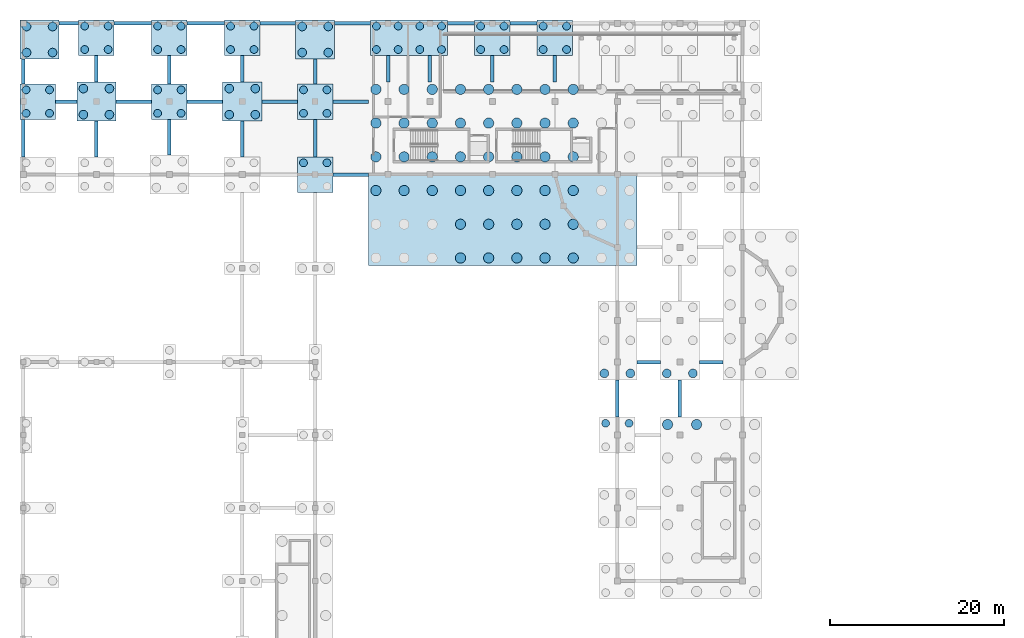
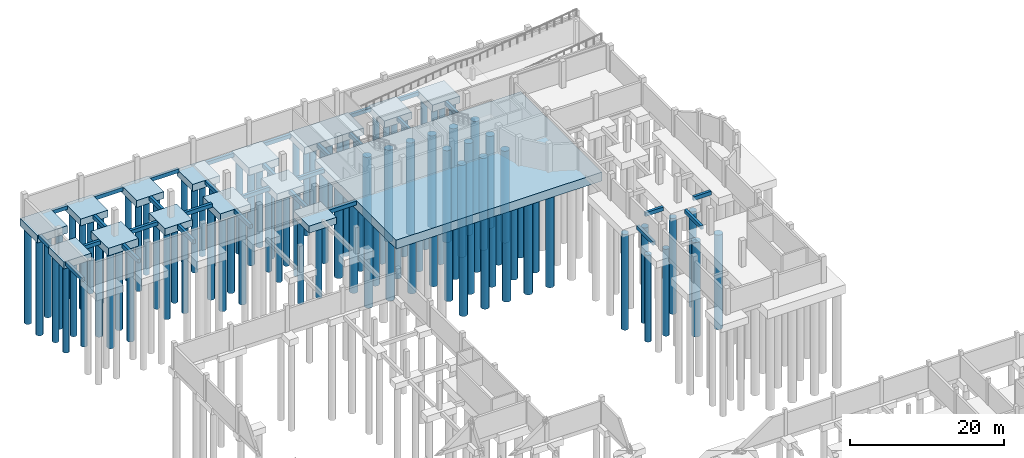
# One storey, part 5 of 22: 108 piles, 46 footings.
"""IFC4 building model written with IfcOpenShell, lengths in metres."""

from ifc_helpers import new_model, si_unit, direction, frame, origin, origin_2d, place, context, subcontext, project, spatial, rectangle, circle, extrude, material, material_profile, profile_set, type_object, element, save


model = new_model("IFC4")

# Units and contexts
model_context = context("Model", 3, precision=1e-05, world=origin(), true_north=direction((0.0, 1.0)))
body_context = subcontext(model_context, "Body", "Model", "MODEL_VIEW")
ifc_project = project(units=[si_unit("LENGTHUNIT", "METRE"), si_unit("AREAUNIT", "SQUARE_METRE"), si_unit("VOLUMEUNIT", "CUBIC_METRE"), si_unit("PLANEANGLEUNIT", "RADIAN"), si_unit("MASSUNIT", "GRAM", prefix="KILO")], contexts=[model_context])

# Site, building, storey
site_placement = place(None, origin())
site = spatial("IfcSite", under=ifc_project, at=site_placement, CompositionType="ELEMENT")
building_placement = place(site_placement, origin())
building = spatial("IfcBuilding", under=site, at=building_placement, Name="Kahlenmark Community Centre", CompositionType="ELEMENT")
storey_placement = place(building_placement, frame((0.0, 0.0, -4.199951171875)))
storey = spatial("IfcBuildingStorey", under=building, at=storey_placement, Name="B1", CompositionType="ELEMENT", Elevation=-4.199951171875)

# Footings
ifc_material = material(Name="Concrete C30/37", Category="concrete")
footing_type_1 = type_object("IfcFootingType", Name="FT-GB-400X600", PredefinedType="FOOTING_BEAM", material=ifc_material)
for number, where, z_axis, x_axis, name in (
    (1, (76.0, 76.0, -0.60009765625), (0.0, 0.0, 1.0), (1.0, 0.0, 0.0), "Ground tie beam X081"),
    (2, (83.199951171875, 76.0, -0.60009765625), (0.0, 0.0, 1.0), (1.0, 0.0, 0.0), "Ground tie beam X082"),
):
    element("IfcFooting", number, at=place(storey_placement, frame(where, z_axis=z_axis, x_axis=x_axis)), inside=storey, type_object=footing_type_1, Name=name, PredefinedType="FOOTING_BEAM", context=body_context, shape_type="SweptSolid", body=[
        extrude(rectangle(XDim=2.699951171875, YDim=0.39990234375, at=origin_2d()), origin(), (0.0, 0.0, 1.0), 0.60009765625),
    ])
footing_1_placement = place(storey_placement, frame((41.699951171875, 97.60009765625, -1.0), z_axis=(0.0, 0.0, 1.0), x_axis=(1.0, 0.0, 0.0)))
element("IfcFooting", 3, at=footing_1_placement, inside=storey, type_object=footing_type_1, Name="Ground tie beam X091", PredefinedType="FOOTING_BEAM", context=body_context, shape_type="SweptSolid", body=[
    extrude(rectangle(XDim=4.10009765625, YDim=0.39990234375, at=origin_2d()), origin(), (0.0, 0.0, 1.0), 0.60009765625),
])
footing_2_placement = place(storey_placement, frame((8.925048828125, 106.0, -0.60009765625), z_axis=(0.0, 0.0, 1.0), x_axis=(1.0, 0.0, 0.0)))
element("IfcFooting", 4, at=footing_2_placement, inside=storey, type_object=footing_type_1, Name="Ground tie beam X094", PredefinedType="FOOTING_BEAM", context=body_context, shape_type="SweptSolid", body=[
    extrude(rectangle(XDim=2.449951171875, YDim=0.39990234375, at=origin_2d()), origin(), (0.0, 0.0, 1.0), 0.60009765625),
])
for number, where, z_axis, x_axis, name in (
    (5, (16.699951171875, 106.0, -0.60009765625), (0.0, 0.0, 1.0), (1.0, 0.0, 0.0), "Ground tie beam X095"),
    (6, (24.89990234375, 106.0, -0.60009765625), (0.0, 0.0, 1.0), (1.0, 0.0, 0.0), "Ground tie beam X096"),
    (7, (33.5, 106.0, -1.0), (0.0, 0.0, 1.0), (1.0, 0.0, 0.0), "Ground tie beam X097"),
    (8, (41.699951171875, 106.0, -1.0), (0.0, 0.0, 1.0), (1.0, 0.0, 0.0), "Ground tie beam X098"),
):
    element("IfcFooting", number, at=place(storey_placement, frame(where, z_axis=z_axis, x_axis=x_axis)), inside=storey, type_object=footing_type_1, Name=name, PredefinedType="FOOTING_BEAM", context=body_context, shape_type="SweptSolid", body=[
        extrude(rectangle(XDim=4.10009765625, YDim=0.39990234375, at=origin_2d()), origin(), (0.0, 0.0, 1.0), 0.60009765625),
    ])
footing_3_placement = place(storey_placement, frame((9.22509765625, 115.0, -0.60009765625), z_axis=(0.0, 0.0, 1.0), x_axis=(1.0, 0.0, 0.0)))
element("IfcFooting", 9, at=footing_3_placement, inside=storey, type_object=footing_type_1, Name="Ground tie beam X101", PredefinedType="FOOTING_BEAM", context=body_context, shape_type="SweptSolid", body=[
    extrude(rectangle(XDim=2.25, YDim=0.39990234375, at=origin_2d()), origin(), (0.0, 0.0, 1.0), 0.60009765625),
])
for number, where, z_axis, x_axis, name in (
    (10, (16.60009765625, 115.0, -0.60009765625), (0.0, 0.0, 1.0), (1.0, 0.0, 0.0), "Ground tie beam X102"),
    (11, (25.0, 115.0, -0.60009765625), (0.0, 0.0, 1.0), (1.0, 0.0, 0.0), "Ground tie beam X103"),
):
    element("IfcFooting", number, at=place(storey_placement, frame(where, z_axis=z_axis, x_axis=x_axis)), inside=storey, type_object=footing_type_1, Name=name, PredefinedType="FOOTING_BEAM", context=body_context, shape_type="SweptSolid", body=[
        extrude(rectangle(XDim=4.300048828125, YDim=0.39990234375, at=origin_2d()), origin(), (0.0, 0.0, 1.0), 0.60009765625),
    ])
for number, where, z_axis, x_axis, name in (
    (12, (33.300048828125, 115.0, -1.0), (0.0, 0.0, 1.0), (1.0, 0.0, 0.0), "Ground tie beam X104"),
    (13, (41.89990234375, 115.0, -1.0), (0.0, 0.0, 1.0), (1.0, 0.0, 0.0), "Ground tie beam X105"),
):
    element("IfcFooting", number, at=place(storey_placement, frame(where, z_axis=z_axis, x_axis=x_axis)), inside=storey, type_object=footing_type_1, Name=name, PredefinedType="FOOTING_BEAM", context=body_context, shape_type="SweptSolid", body=[
        extrude(rectangle(XDim=4.10009765625, YDim=0.39990234375, at=origin_2d()), origin(), (0.0, 0.0, 1.0), 0.60009765625),
    ])
for number, where, z_axis, x_axis, name in (
    (14, (54.39990234375, 115.0, -1.0), (0.0, 0.0, 1.0), (1.0, 0.0, 0.0), "Ground tie beam X106"),
    (15, (61.60009765625, 115.0, -1.0), (0.0, 0.0, 1.0), (1.0, 0.0, 0.0), "Ground tie beam X107"),
):
    element("IfcFooting", number, at=place(storey_placement, frame(where, z_axis=z_axis, x_axis=x_axis)), inside=storey, type_object=footing_type_1, Name=name, PredefinedType="FOOTING_BEAM", context=body_context, shape_type="SweptSolid", body=[
        extrude(rectangle(XDim=3.10009765625, YDim=0.39990234375, at=origin_2d()), origin(), (0.0, 0.0, 1.0), 0.60009765625),
    ])
footing_4_placement = place(storey_placement, frame((4.0, 101.800048828125, -0.60009765625), z_axis=(0.0, 0.0, 1.0), x_axis=(1.0, 0.0, 0.0)))
element("IfcFooting", 16, at=footing_4_placement, inside=storey, type_object=footing_type_1, Name="Ground tie beam Y118", PredefinedType="FOOTING_BEAM", context=body_context, shape_type="SweptSolid", body=[
    extrude(rectangle(XDim=0.39990234375, YDim=4.300048828125, at=origin_2d()), origin(), (0.0, 0.0, 1.0), 0.60009765625),
])
footing_5_placement = place(storey_placement, frame((4.0, 109.47509765625, -0.60009765625), z_axis=(0.0, 0.0, 1.0), x_axis=(1.0, 0.0, 0.0)))
element("IfcFooting", 17, at=footing_5_placement, inside=storey, type_object=footing_type_1, Name="Ground tie beam Y119", PredefinedType="FOOTING_BEAM", context=body_context, shape_type="SweptSolid", body=[
    extrude(rectangle(XDim=0.39990234375, YDim=2.85009765625, at=origin_2d()), origin(), (0.0, 0.0, 1.0), 0.60009765625),
])
footing_6_placement = place(storey_placement, frame((12.39990234375, 101.699951171875, -0.60009765625), z_axis=(0.0, 0.0, 1.0), x_axis=(1.0, 0.0, 0.0)))
element("IfcFooting", 18, at=footing_6_placement, inside=storey, type_object=footing_type_1, Name="Ground tie beam Y123", PredefinedType="FOOTING_BEAM", context=body_context, shape_type="SweptSolid", body=[
    extrude(rectangle(XDim=0.39990234375, YDim=4.10009765625, at=origin_2d()), origin(), (0.0, 0.0, 1.0), 0.60009765625),
])
footing_7_placement = place(storey_placement, frame((12.39990234375, 109.77490234375, -0.60009765625), z_axis=(0.0, 0.0, 1.0), x_axis=(1.0, 0.0, 0.0)))
element("IfcFooting", 19, at=footing_7_placement, inside=storey, type_object=footing_type_1, Name="Ground tie beam Y124", PredefinedType="FOOTING_BEAM", context=body_context, shape_type="SweptSolid", body=[
    extrude(rectangle(XDim=0.39990234375, YDim=3.050048828125, at=origin_2d()), origin(), (0.0, 0.0, 1.0), 0.60009765625),
])
footing_8_placement = place(storey_placement, frame((20.800048828125, 101.89990234375, -0.60009765625), z_axis=(0.0, 0.0, 1.0), x_axis=(1.0, 0.0, 0.0)))
element("IfcFooting", 20, at=footing_8_placement, inside=storey, type_object=footing_type_1, Name="Ground tie beam Y130", PredefinedType="FOOTING_BEAM", context=body_context, shape_type="SweptSolid", body=[
    extrude(rectangle(XDim=0.39990234375, YDim=4.10009765625, at=origin_2d()), origin(), (0.0, 0.0, 1.0), 0.60009765625),
])
footing_9_placement = place(storey_placement, frame((20.800048828125, 109.675048828125, -0.60009765625), z_axis=(0.0, 0.0, 1.0), x_axis=(1.0, 0.0, 0.0)))
element("IfcFooting", 21, at=footing_9_placement, inside=storey, type_object=footing_type_1, Name="Ground tie beam Y131", PredefinedType="FOOTING_BEAM", context=body_context, shape_type="SweptSolid", body=[
    extrude(rectangle(XDim=0.39990234375, YDim=3.25, at=origin_2d()), origin(), (0.0, 0.0, 1.0), 0.60009765625),
])
footing_10_placement = place(storey_placement, frame((29.199951171875, 101.699951171875, -1.0), z_axis=(0.0, 0.0, 1.0), x_axis=(1.0, 0.0, 0.0)))
element("IfcFooting", 22, at=footing_10_placement, inside=storey, type_object=footing_type_1, Name="Ground tie beam Y143", PredefinedType="FOOTING_BEAM", context=body_context, shape_type="SweptSolid", body=[
    extrude(rectangle(XDim=0.39990234375, YDim=4.10009765625, at=origin_2d()), origin(), (0.0, 0.0, 1.0), 0.60009765625),
])
footing_11_placement = place(storey_placement, frame((29.199951171875, 109.77490234375, -1.0), z_axis=(0.0, 0.0, 1.0), x_axis=(1.0, 0.0, 0.0)))
element("IfcFooting", 23, at=footing_11_placement, inside=storey, type_object=footing_type_1, Name="Ground tie beam Y144", PredefinedType="FOOTING_BEAM", context=body_context, shape_type="SweptSolid", body=[
    extrude(rectangle(XDim=0.39990234375, YDim=3.050048828125, at=origin_2d()), origin(), (0.0, 0.0, 1.0), 0.60009765625),
])
footing_12_placement = place(storey_placement, frame((37.60009765625, 101.800048828125, -1.0), z_axis=(0.0, 0.0, 1.0), x_axis=(1.0, 0.0, 0.0)))
element("IfcFooting", 24, at=footing_12_placement, inside=storey, type_object=footing_type_1, Name="Ground tie beam Y155", PredefinedType="FOOTING_BEAM", context=body_context, shape_type="SweptSolid", body=[
    extrude(rectangle(XDim=0.39990234375, YDim=4.300048828125, at=origin_2d()), origin(), (0.0, 0.0, 1.0), 0.60009765625),
])
footing_13_placement = place(storey_placement, frame((37.60009765625, 109.47509765625, -1.0), z_axis=(0.0, 0.0, 1.0), x_axis=(1.0, 0.0, 0.0)))
element("IfcFooting", 25, at=footing_13_placement, inside=storey, type_object=footing_type_1, Name="Ground tie beam Y156", PredefinedType="FOOTING_BEAM", context=body_context, shape_type="SweptSolid", body=[
    extrude(rectangle(XDim=0.39990234375, YDim=2.85009765625, at=origin_2d()), origin(), (0.0, 0.0, 1.0), 0.60009765625),
])
for number, where, z_axis, x_axis, name in (
    (26, (46.0, 109.77490234375, -1.0), (0.0, 0.0, 1.0), (1.0, 0.0, 0.0), "Ground tie beam Y159"),
    (27, (50.800048828125, 109.77490234375, -1.0), (0.0, 0.0, 1.0), (1.0, 0.0, 0.0), "Ground tie beam Y160"),
    (28, (58.0, 109.77490234375, -1.0), (0.0, 0.0, 1.0), (1.0, 0.0, 0.0), "Ground tie beam Y161"),
    (29, (65.199951171875, 109.77490234375, -1.0), (0.0, 0.0, 1.0), (1.0, 0.0, 0.0), "Ground tie beam Y164"),
):
    element("IfcFooting", number, at=place(storey_placement, frame(where, z_axis=z_axis, x_axis=x_axis)), inside=storey, type_object=footing_type_1, Name=name, PredefinedType="FOOTING_BEAM", context=body_context, shape_type="SweptSolid", body=[
        extrude(rectangle(XDim=0.39990234375, YDim=3.050048828125, at=origin_2d()), origin(), (0.0, 0.0, 1.0), 0.60009765625),
    ])
for number, where, z_axis, x_axis, name in (
    (30, (72.39990234375, 71.800048828125, -0.60009765625), (0.0, 0.0, 1.0), (1.0, 0.0, 0.0), "Ground tie beam Y169"),
    (31, (79.60009765625, 71.800048828125, -0.60009765625), (0.0, 0.0, 1.0), (1.0, 0.0, 0.0), "Ground tie beam Y174"),
):
    element("IfcFooting", number, at=place(storey_placement, frame(where, z_axis=z_axis, x_axis=x_axis)), inside=storey, type_object=footing_type_1, Name=name, PredefinedType="FOOTING_BEAM", context=body_context, shape_type="SweptSolid", body=[
        extrude(rectangle(XDim=0.39990234375, YDim=4.300048828125, at=origin_2d()), origin(), (0.0, 0.0, 1.0), 0.60009765625),
    ])
footing_type_2 = type_object("IfcFootingType", Name="FT-PC-3090X2110X140", PredefinedType="PILE_CAP", material=ifc_material)
footing_14_placement = place(storey_placement, frame((59.199951171875, 97.699951171875, -1.800048828125), z_axis=(0.0, 0.0, 1.0), x_axis=(1.0, 0.0, 0.0)))
element("IfcFooting", 32, at=footing_14_placement, inside=storey, type_object=footing_type_2, Name="Bored pile cap FT-PC-097", PredefinedType="PILE_CAP", context=body_context, shape_type="SweptSolid", body=[
    extrude(rectangle(XDim=30.89990234375, YDim=21.10009765625, at=origin_2d()), origin(), (0.0, 0.0, 1.0), 1.39990234375),
])
footing_type_3 = type_object("IfcFootingType", Name="FT-PC-410X410X110", PredefinedType="PILE_CAP", material=ifc_material)
for number, where, z_axis, x_axis, name in (
    (33, (37.60009765625, 97.60009765625, -1.5), (0.0, 0.0, 1.0), (1.0, 0.0, 0.0), "Bored pile cap FT-PC-103"),
    (34, (5.64990234375, 106.0, -1.10009765625), (0.0, 0.0, 1.0), (1.0, 0.0, 0.0), "Bored pile cap FT-PC-110"),
    (35, (20.800048828125, 106.0, -1.10009765625), (0.0, 0.0, 1.0), (1.0, 0.0, 0.0), "Bored pile cap FT-PC-111"),
    (36, (37.60009765625, 106.0, -1.5), (0.0, 0.0, 1.0), (1.0, 0.0, 0.0), "Bored pile cap FT-PC-112"),
    (37, (12.39990234375, 113.35009765625, -1.10009765625), (0.0, 0.0, 1.0), (1.0, 0.0, 0.0), "Bored pile cap FT-PC-115"),
    (38, (20.800048828125, 113.35009765625, -1.10009765625), (0.0, 0.0, 1.0), (1.0, 0.0, 0.0), "Bored pile cap FT-PC-116"),
    (39, (29.199951171875, 113.35009765625, -1.5), (0.0, 0.0, 1.0), (1.0, 0.0, 0.0), "Bored pile cap FT-PC-117"),
    (40, (58.0, 113.35009765625, -1.5), (0.0, 0.0, 1.0), (1.0, 0.0, 0.0), "Bored pile cap FT-PC-119"),
    (41, (65.199951171875, 113.35009765625, -1.5), (0.0, 0.0, 1.0), (1.0, 0.0, 0.0), "Bored pile cap FT-PC-120"),
):
    element("IfcFooting", number, at=place(storey_placement, frame(where, z_axis=z_axis, x_axis=x_axis)), inside=storey, type_object=footing_type_3, Name=name, PredefinedType="PILE_CAP", context=body_context, shape_type="SweptSolid", body=[
        extrude(rectangle(XDim=4.10009765625, YDim=4.10009765625, at=origin_2d()), origin(), (0.0, 0.0, 1.0), 1.10009765625),
    ])
footing_type_4 = type_object("IfcFootingType", Name="FT-PC-450X450X120", PredefinedType="PILE_CAP", material=ifc_material)
for number, where, z_axis, x_axis, name in (
    (42, (12.39990234375, 106.0, -1.2001953125), (0.0, 0.0, 1.0), (1.0, 0.0, 0.0), "Bored pile cap FT-PC-106"),
    (43, (29.199951171875, 106.0, -1.60009765625), (0.0, 0.0, 1.0), (1.0, 0.0, 0.0), "Bored pile cap FT-PC-107"),
    (44, (5.85009765625, 113.14990234375, -1.2001953125), (0.0, 0.0, 1.0), (1.0, 0.0, 0.0), "Bored pile cap FT-PC-113"),
    (45, (37.60009765625, 113.14990234375, -1.60009765625), (0.0, 0.0, 1.0), (1.0, 0.0, 0.0), "Bored pile cap FT-PC-114"),
):
    element("IfcFooting", number, at=place(storey_placement, frame(where, z_axis=z_axis, x_axis=x_axis)), inside=storey, type_object=footing_type_4, Name=name, PredefinedType="PILE_CAP", context=body_context, shape_type="SweptSolid", body=[
        extrude(rectangle(XDim=4.5, YDim=4.5, at=origin_2d()), origin(), (0.0, 0.0, 1.0), 1.199951171875),
    ])
footing_type_5 = type_object("IfcFootingType", Name="FT-PC-890X410X110", PredefinedType="PILE_CAP", material=ifc_material)
footing_15_placement = place(storey_placement, frame((48.39990234375, 113.35009765625, -1.5), z_axis=(0.0, 0.0, 1.0), x_axis=(1.0, 0.0, 0.0)))
element("IfcFooting", 46, at=footing_15_placement, inside=storey, type_object=footing_type_5, Name="Bored pile cap FT-PC-118", PredefinedType="PILE_CAP", context=body_context, shape_type="SweptSolid", body=[
    extrude(rectangle(XDim=8.89990234375, YDim=4.10009765625, at=origin_2d()), origin(), (0.0, 0.0, 1.0), 1.10009765625),
])

# Piles
ifc_material_profile_1 = material_profile(ifc_material, circle(Radius=0.5, at=origin_2d()), Name="BORED PILE 1000")
ifc_profile_set_1 = profile_set([ifc_material_profile_1], Name="Concrete C30/37")
pile_type_1 = type_object("IfcPileType", Name="PT-BP1000", PredefinedType="BORED", material=ifc_profile_set_1)
for number, where, z_axis, x_axis, name in (
    (47, (70.89990234375, 74.699951171875, -1.10009765625), (0.0, 0.0, -1.0), (1.0, 0.0, 0.0), "Bored pile PL-RC2-089-01"),
    (48, (73.89990234375, 74.699951171875, -1.10009765625), (0.0, 0.0, -1.0), (1.0, 0.0, 0.0), "Bored pile PL-RC2-089-04"),
    (49, (78.10009765625, 74.699951171875, -1.10009765625), (0.0, 0.0, -1.0), (1.0, 0.0, 0.0), "Bored pile PL-RC2-090-01"),
    (50, (81.10009765625, 74.699951171875, -1.10009765625), (0.0, 0.0, -1.0), (1.0, 0.0, 0.0), "Bored pile PL-RC2-090-04"),
    (51, (10.89990234375, 104.5, -1.10009765625), (0.0, 0.0, -1.0), (1.0, 0.0, 0.0), "Bored pile PL-RC2-106-01"),
    (52, (10.89990234375, 107.5, -1.10009765625), (0.0, 0.0, -1.0), (1.0, 0.0, 0.0), "Bored pile PL-RC2-106-02"),
    (53, (13.89990234375, 104.5, -1.10009765625), (0.0, 0.0, -1.0), (1.0, 0.0, 0.0), "Bored pile PL-RC2-106-03"),
    (54, (13.89990234375, 107.5, -1.10009765625), (0.0, 0.0, -1.0), (1.0, 0.0, 0.0), "Bored pile PL-RC2-106-04"),
):
    element("IfcPile", number, at=place(storey_placement, frame(where, z_axis=z_axis, x_axis=x_axis)), inside=storey, type_object=pile_type_1, Name=name, PredefinedType="BORED", context=body_context, shape_type="SweptSolid", body=[
        extrude(circle(Radius=0.5, at=origin_2d()), origin(), (0.0, 0.0, 1.0), 15.199951171875),
    ])
for number, where, z_axis, x_axis, name in (
    (55, (27.699951171875, 104.5, -1.5), (0.0, 0.0, -1.0), (1.0, 0.0, 0.0), "Bored pile PL-RC2-107-01"),
    (56, (27.699951171875, 107.5, -1.5), (0.0, 0.0, -1.0), (1.0, 0.0, 0.0), "Bored pile PL-RC2-107-02"),
    (57, (30.699951171875, 104.5, -1.5), (0.0, 0.0, -1.0), (1.0, 0.0, 0.0), "Bored pile PL-RC2-107-03"),
    (58, (30.699951171875, 107.5, -1.5), (0.0, 0.0, -1.0), (1.0, 0.0, 0.0), "Bored pile PL-RC2-107-04"),
):
    element("IfcPile", number, at=place(storey_placement, frame(where, z_axis=z_axis, x_axis=x_axis)), inside=storey, type_object=pile_type_1, Name=name, PredefinedType="BORED", context=body_context, shape_type="SweptSolid", body=[
        extrude(circle(Radius=0.5, at=origin_2d()), origin(), (0.0, 0.0, 1.0), 14.800048828125),
    ])
for number, where, z_axis, x_axis, name in (
    (59, (4.35009765625, 111.64990234375, -1.10009765625), (0.0, 0.0, -1.0), (1.0, 0.0, 0.0), "Bored pile PL-RC2-113-01"),
    (60, (4.35009765625, 114.64990234375, -1.10009765625), (0.0, 0.0, -1.0), (1.0, 0.0, 0.0), "Bored pile PL-RC2-113-02"),
    (61, (7.35009765625, 111.64990234375, -1.10009765625), (0.0, 0.0, -1.0), (1.0, 0.0, 0.0), "Bored pile PL-RC2-113-03"),
    (62, (7.35009765625, 114.64990234375, -1.10009765625), (0.0, 0.0, -1.0), (1.0, 0.0, 0.0), "Bored pile PL-RC2-113-04"),
):
    element("IfcPile", number, at=place(storey_placement, frame(where, z_axis=z_axis, x_axis=x_axis)), inside=storey, type_object=pile_type_1, Name=name, PredefinedType="BORED", context=body_context, shape_type="SweptSolid", body=[
        extrude(circle(Radius=0.5, at=origin_2d()), origin(), (0.0, 0.0, 1.0), 15.199951171875),
    ])
for number, where, z_axis, x_axis, name in (
    (63, (36.10009765625, 111.64990234375, -1.5), (0.0, 0.0, -1.0), (1.0, 0.0, 0.0), "Bored pile PL-RC2-114-01"),
    (64, (36.10009765625, 114.64990234375, -1.5), (0.0, 0.0, -1.0), (1.0, 0.0, 0.0), "Bored pile PL-RC2-114-02"),
    (65, (39.10009765625, 111.64990234375, -1.5), (0.0, 0.0, -1.0), (1.0, 0.0, 0.0), "Bored pile PL-RC2-114-03"),
    (66, (39.10009765625, 114.64990234375, -1.5), (0.0, 0.0, -1.0), (1.0, 0.0, 0.0), "Bored pile PL-RC2-114-04"),
):
    element("IfcPile", number, at=place(storey_placement, frame(where, z_axis=z_axis, x_axis=x_axis)), inside=storey, type_object=pile_type_1, Name=name, PredefinedType="BORED", context=body_context, shape_type="SweptSolid", body=[
        extrude(circle(Radius=0.5, at=origin_2d()), origin(), (0.0, 0.0, 1.0), 14.800048828125),
    ])
ifc_material_profile_2 = material_profile(ifc_material, circle(Radius=0.590087890625, at=origin_2d()), Name="BORED PILE 1180")
ifc_profile_set_2 = profile_set([ifc_material_profile_2], Name="Concrete C30/37")
pile_type_2 = type_object("IfcPileType", Name="PT-BP1180", PredefinedType="BORED", material=ifc_profile_set_2)
for number, where, z_axis, x_axis, name in (
    (67, (78.18994140625, 68.81005859375, -1.300048828125), (0.0, 0.0, -1.0), (1.0, 0.0, 0.0), "Bored pile PL-RC2-076-06"),
    (68, (81.530029296875, 68.81005859375, -1.300048828125), (0.0, 0.0, -1.0), (1.0, 0.0, 0.0), "Bored pile PL-RC2-076-12"),
):
    element("IfcPile", number, at=place(storey_placement, frame(where, z_axis=z_axis, x_axis=x_axis)), inside=storey, type_object=pile_type_2, Name=name, PredefinedType="BORED", context=body_context, shape_type="SweptSolid", body=[
        extrude(circle(Radius=0.590087890625, at=origin_2d()), origin(), (0.0, 0.0, 1.0), 15.0),
    ])
for number, where, z_axis, x_axis, name in (
    (69, (44.590087890625, 95.758056640625, -1.699951171875), (0.0, 0.0, -1.0), (1.0, 0.0, 0.0), "Bored pile PL-RC2-097-03"),
    (70, (44.590087890625, 99.64208984375, -1.699951171875), (0.0, 0.0, -1.0), (1.0, 0.0, 0.0), "Bored pile PL-RC2-097-04"),
    (71, (44.590087890625, 103.52587890625, -1.699951171875), (0.0, 0.0, -1.0), (1.0, 0.0, 0.0), "Bored pile PL-RC2-097-05"),
    (72, (44.590087890625, 107.409912109375, -1.699951171875), (0.0, 0.0, -1.0), (1.0, 0.0, 0.0), "Bored pile PL-RC2-097-06"),
    (73, (47.8369140625, 95.758056640625, -1.699951171875), (0.0, 0.0, -1.0), (1.0, 0.0, 0.0), "Bored pile PL-RC2-097-09"),
    (74, (47.8369140625, 99.64208984375, -1.699951171875), (0.0, 0.0, -1.0), (1.0, 0.0, 0.0), "Bored pile PL-RC2-097-10"),
    (75, (47.8369140625, 103.52587890625, -1.699951171875), (0.0, 0.0, -1.0), (1.0, 0.0, 0.0), "Bored pile PL-RC2-097-11"),
    (76, (47.8369140625, 107.409912109375, -1.699951171875), (0.0, 0.0, -1.0), (1.0, 0.0, 0.0), "Bored pile PL-RC2-097-12"),
    (77, (51.0830078125, 95.758056640625, -1.699951171875), (0.0, 0.0, -1.0), (1.0, 0.0, 0.0), "Bored pile PL-RC2-097-15"),
    (78, (51.0830078125, 99.64208984375, -1.699951171875), (0.0, 0.0, -1.0), (1.0, 0.0, 0.0), "Bored pile PL-RC2-097-16"),
    (79, (51.0830078125, 103.52587890625, -1.699951171875), (0.0, 0.0, -1.0), (1.0, 0.0, 0.0), "Bored pile PL-RC2-097-17"),
    (80, (51.0830078125, 107.409912109375, -1.699951171875), (0.0, 0.0, -1.0), (1.0, 0.0, 0.0), "Bored pile PL-RC2-097-18"),
    (81, (54.330078125, 87.989990234375, -1.699951171875), (0.0, 0.0, -1.0), (1.0, 0.0, 0.0), "Bored pile PL-RC2-097-19"),
    (82, (54.330078125, 91.8740234375, -1.699951171875), (0.0, 0.0, -1.0), (1.0, 0.0, 0.0), "Bored pile PL-RC2-097-20"),
    (83, (54.330078125, 95.758056640625, -1.699951171875), (0.0, 0.0, -1.0), (1.0, 0.0, 0.0), "Bored pile PL-RC2-097-21"),
    (84, (54.330078125, 99.64208984375, -1.699951171875), (0.0, 0.0, -1.0), (1.0, 0.0, 0.0), "Bored pile PL-RC2-097-22"),
    (85, (54.330078125, 103.52587890625, -1.699951171875), (0.0, 0.0, -1.0), (1.0, 0.0, 0.0), "Bored pile PL-RC2-097-23"),
    (86, (54.330078125, 107.409912109375, -1.699951171875), (0.0, 0.0, -1.0), (1.0, 0.0, 0.0), "Bored pile PL-RC2-097-24"),
    (87, (57.576904296875, 87.989990234375, -1.699951171875), (0.0, 0.0, -1.0), (1.0, 0.0, 0.0), "Bored pile PL-RC2-097-25"),
    (88, (57.576904296875, 91.8740234375, -1.699951171875), (0.0, 0.0, -1.0), (1.0, 0.0, 0.0), "Bored pile PL-RC2-097-26"),
    (89, (57.576904296875, 95.758056640625, -1.699951171875), (0.0, 0.0, -1.0), (1.0, 0.0, 0.0), "Bored pile PL-RC2-097-27"),
    (90, (57.576904296875, 99.64208984375, -1.699951171875), (0.0, 0.0, -1.0), (1.0, 0.0, 0.0), "Bored pile PL-RC2-097-28"),
    (91, (57.576904296875, 103.52587890625, -1.699951171875), (0.0, 0.0, -1.0), (1.0, 0.0, 0.0), "Bored pile PL-RC2-097-29"),
    (92, (57.576904296875, 107.409912109375, -1.699951171875), (0.0, 0.0, -1.0), (1.0, 0.0, 0.0), "Bored pile PL-RC2-097-30"),
    (93, (60.822998046875, 87.989990234375, -1.699951171875), (0.0, 0.0, -1.0), (1.0, 0.0, 0.0), "Bored pile PL-RC2-097-31"),
    (94, (60.822998046875, 91.8740234375, -1.699951171875), (0.0, 0.0, -1.0), (1.0, 0.0, 0.0), "Bored pile PL-RC2-097-32"),
    (95, (60.822998046875, 95.758056640625, -1.699951171875), (0.0, 0.0, -1.0), (1.0, 0.0, 0.0), "Bored pile PL-RC2-097-33"),
    (96, (60.822998046875, 99.64208984375, -1.699951171875), (0.0, 0.0, -1.0), (1.0, 0.0, 0.0), "Bored pile PL-RC2-097-34"),
    (97, (60.822998046875, 103.52587890625, -1.699951171875), (0.0, 0.0, -1.0), (1.0, 0.0, 0.0), "Bored pile PL-RC2-097-35"),
    (98, (60.822998046875, 107.409912109375, -1.699951171875), (0.0, 0.0, -1.0), (1.0, 0.0, 0.0), "Bored pile PL-RC2-097-36"),
    (99, (64.070068359375, 87.989990234375, -1.699951171875), (0.0, 0.0, -1.0), (1.0, 0.0, 0.0), "Bored pile PL-RC2-097-37"),
    (100, (64.070068359375, 91.8740234375, -1.699951171875), (0.0, 0.0, -1.0), (1.0, 0.0, 0.0), "Bored pile PL-RC2-097-38"),
    (101, (64.070068359375, 95.758056640625, -1.699951171875), (0.0, 0.0, -1.0), (1.0, 0.0, 0.0), "Bored pile PL-RC2-097-39"),
    (102, (64.070068359375, 99.64208984375, -1.699951171875), (0.0, 0.0, -1.0), (1.0, 0.0, 0.0), "Bored pile PL-RC2-097-40"),
    (103, (64.070068359375, 103.52587890625, -1.699951171875), (0.0, 0.0, -1.0), (1.0, 0.0, 0.0), "Bored pile PL-RC2-097-41"),
    (104, (64.070068359375, 107.409912109375, -1.699951171875), (0.0, 0.0, -1.0), (1.0, 0.0, 0.0), "Bored pile PL-RC2-097-42"),
    (105, (67.31689453125, 87.989990234375, -1.699951171875), (0.0, 0.0, -1.0), (1.0, 0.0, 0.0), "Bored pile PL-RC2-097-43"),
    (106, (67.31689453125, 91.8740234375, -1.699951171875), (0.0, 0.0, -1.0), (1.0, 0.0, 0.0), "Bored pile PL-RC2-097-44"),
    (107, (67.31689453125, 95.758056640625, -1.699951171875), (0.0, 0.0, -1.0), (1.0, 0.0, 0.0), "Bored pile PL-RC2-097-45"),
    (108, (67.31689453125, 99.64208984375, -1.699951171875), (0.0, 0.0, -1.0), (1.0, 0.0, 0.0), "Bored pile PL-RC2-097-46"),
    (109, (67.31689453125, 103.52587890625, -1.699951171875), (0.0, 0.0, -1.0), (1.0, 0.0, 0.0), "Bored pile PL-RC2-097-47"),
    (110, (67.31689453125, 107.409912109375, -1.699951171875), (0.0, 0.0, -1.0), (1.0, 0.0, 0.0), "Bored pile PL-RC2-097-48"),
):
    element("IfcPile", number, at=place(storey_placement, frame(where, z_axis=z_axis, x_axis=x_axis)), inside=storey, type_object=pile_type_2, Name=name, PredefinedType="BORED", context=body_context, shape_type="SweptSolid", body=[
        extrude(circle(Radius=0.590087890625, at=origin_2d()), origin(), (0.0, 0.0, 1.0), 14.60009765625),
    ])
ifc_material_profile_3 = material_profile(ifc_material, circle(Radius=0.449951171875, at=origin_2d()), Name="BORED PILE 900")
ifc_profile_set_3 = profile_set([ifc_material_profile_3], Name="Concrete C30/37")
pile_type_3 = type_object("IfcPileType", Name="PT-BP900", PredefinedType="BORED", material=ifc_profile_set_3)
for number, where, z_axis, x_axis, name in (
    (111, (71.050048828125, 68.949951171875, -1.0), (0.0, 0.0, -1.0), (1.0, 0.0, 0.0), "Bored pile PL-RC2-085-02"),
    (112, (73.75, 68.949951171875, -1.0), (0.0, 0.0, -1.0), (1.0, 0.0, 0.0), "Bored pile PL-RC2-085-04"),
):
    element("IfcPile", number, at=place(storey_placement, frame(where, z_axis=z_axis, x_axis=x_axis)), inside=storey, type_object=pile_type_3, Name=name, PredefinedType="BORED", context=body_context, shape_type="SweptSolid", body=[
        extrude(circle(Radius=0.449951171875, at=origin_2d()), origin(), (0.0, 0.0, 1.0), 13.800048828125),
    ])
for number, where, z_axis, x_axis, name in (
    (113, (36.25, 98.949951171875, -1.400146484375), (0.0, 0.0, -1.0), (1.0, 0.0, 0.0), "Bored pile PL-RC2-103-02"),
    (114, (38.949951171875, 98.949951171875, -1.400146484375), (0.0, 0.0, -1.0), (1.0, 0.0, 0.0), "Bored pile PL-RC2-103-04"),
):
    element("IfcPile", number, at=place(storey_placement, frame(where, z_axis=z_axis, x_axis=x_axis)), inside=storey, type_object=pile_type_3, Name=name, PredefinedType="BORED", context=body_context, shape_type="SweptSolid", body=[
        extrude(circle(Radius=0.449951171875, at=origin_2d()), origin(), (0.0, 0.0, 1.0), 13.39990234375),
    ])
for number, where, z_axis, x_axis, name in (
    (115, (4.300048828125, 104.64990234375, -1.0), (0.0, 0.0, -1.0), (1.0, 0.0, 0.0), "Bored pile PL-RC2-110-01"),
    (116, (4.300048828125, 107.35009765625, -1.0), (0.0, 0.0, -1.0), (1.0, 0.0, 0.0), "Bored pile PL-RC2-110-02"),
    (117, (7.0, 104.64990234375, -1.0), (0.0, 0.0, -1.0), (1.0, 0.0, 0.0), "Bored pile PL-RC2-110-03"),
    (118, (7.0, 107.35009765625, -1.0), (0.0, 0.0, -1.0), (1.0, 0.0, 0.0), "Bored pile PL-RC2-110-04"),
    (119, (19.449951171875, 104.64990234375, -1.0), (0.0, 0.0, -1.0), (1.0, 0.0, 0.0), "Bored pile PL-RC2-111-01"),
    (120, (19.449951171875, 107.35009765625, -1.0), (0.0, 0.0, -1.0), (1.0, 0.0, 0.0), "Bored pile PL-RC2-111-02"),
    (121, (22.14990234375, 104.64990234375, -1.0), (0.0, 0.0, -1.0), (1.0, 0.0, 0.0), "Bored pile PL-RC2-111-03"),
    (122, (22.14990234375, 107.35009765625, -1.0), (0.0, 0.0, -1.0), (1.0, 0.0, 0.0), "Bored pile PL-RC2-111-04"),
):
    element("IfcPile", number, at=place(storey_placement, frame(where, z_axis=z_axis, x_axis=x_axis)), inside=storey, type_object=pile_type_3, Name=name, PredefinedType="BORED", context=body_context, shape_type="SweptSolid", body=[
        extrude(circle(Radius=0.449951171875, at=origin_2d()), origin(), (0.0, 0.0, 1.0), 13.800048828125),
    ])
for number, where, z_axis, x_axis, name in (
    (123, (36.25, 104.64990234375, -1.400146484375), (0.0, 0.0, -1.0), (1.0, 0.0, 0.0), "Bored pile PL-RC2-112-01"),
    (124, (36.25, 107.35009765625, -1.400146484375), (0.0, 0.0, -1.0), (1.0, 0.0, 0.0), "Bored pile PL-RC2-112-02"),
    (125, (38.949951171875, 104.64990234375, -1.400146484375), (0.0, 0.0, -1.0), (1.0, 0.0, 0.0), "Bored pile PL-RC2-112-03"),
    (126, (38.949951171875, 107.35009765625, -1.400146484375), (0.0, 0.0, -1.0), (1.0, 0.0, 0.0), "Bored pile PL-RC2-112-04"),
):
    element("IfcPile", number, at=place(storey_placement, frame(where, z_axis=z_axis, x_axis=x_axis)), inside=storey, type_object=pile_type_3, Name=name, PredefinedType="BORED", context=body_context, shape_type="SweptSolid", body=[
        extrude(circle(Radius=0.449951171875, at=origin_2d()), origin(), (0.0, 0.0, 1.0), 13.39990234375),
    ])
for number, where, z_axis, x_axis, name in (
    (127, (11.050048828125, 112.0, -1.0), (0.0, 0.0, -1.0), (1.0, 0.0, 0.0), "Bored pile PL-RC2-115-01"),
    (128, (11.050048828125, 114.699951171875, -1.0), (0.0, 0.0, -1.0), (1.0, 0.0, 0.0), "Bored pile PL-RC2-115-02"),
    (129, (13.75, 112.0, -1.0), (0.0, 0.0, -1.0), (1.0, 0.0, 0.0), "Bored pile PL-RC2-115-03"),
    (130, (13.75, 114.699951171875, -1.0), (0.0, 0.0, -1.0), (1.0, 0.0, 0.0), "Bored pile PL-RC2-115-04"),
    (131, (19.449951171875, 112.0, -1.0), (0.0, 0.0, -1.0), (1.0, 0.0, 0.0), "Bored pile PL-RC2-116-01"),
    (132, (19.449951171875, 114.699951171875, -1.0), (0.0, 0.0, -1.0), (1.0, 0.0, 0.0), "Bored pile PL-RC2-116-02"),
    (133, (22.14990234375, 112.0, -1.0), (0.0, 0.0, -1.0), (1.0, 0.0, 0.0), "Bored pile PL-RC2-116-03"),
    (134, (22.14990234375, 114.699951171875, -1.0), (0.0, 0.0, -1.0), (1.0, 0.0, 0.0), "Bored pile PL-RC2-116-04"),
):
    element("IfcPile", number, at=place(storey_placement, frame(where, z_axis=z_axis, x_axis=x_axis)), inside=storey, type_object=pile_type_3, Name=name, PredefinedType="BORED", context=body_context, shape_type="SweptSolid", body=[
        extrude(circle(Radius=0.449951171875, at=origin_2d()), origin(), (0.0, 0.0, 1.0), 13.800048828125),
    ])
for number, where, z_axis, x_axis, name in (
    (135, (27.85009765625, 112.0, -1.400146484375), (0.0, 0.0, -1.0), (1.0, 0.0, 0.0), "Bored pile PL-RC2-117-01"),
    (136, (27.85009765625, 114.699951171875, -1.400146484375), (0.0, 0.0, -1.0), (1.0, 0.0, 0.0), "Bored pile PL-RC2-117-02"),
    (137, (30.550048828125, 112.0, -1.400146484375), (0.0, 0.0, -1.0), (1.0, 0.0, 0.0), "Bored pile PL-RC2-117-03"),
    (138, (30.550048828125, 114.699951171875, -1.400146484375), (0.0, 0.0, -1.0), (1.0, 0.0, 0.0), "Bored pile PL-RC2-117-04"),
    (139, (44.64990234375, 112.0, -1.400146484375), (0.0, 0.0, -1.0), (1.0, 0.0, 0.0), "Bored pile PL-RC2-118-01"),
    (140, (44.64990234375, 114.699951171875, -1.400146484375), (0.0, 0.0, -1.0), (1.0, 0.0, 0.0), "Bored pile PL-RC2-118-02"),
    (141, (47.14990234375, 112.0, -1.400146484375), (0.0, 0.0, -1.0), (1.0, 0.0, 0.0), "Bored pile PL-RC2-118-03"),
    (142, (47.14990234375, 114.699951171875, -1.400146484375), (0.0, 0.0, -1.0), (1.0, 0.0, 0.0), "Bored pile PL-RC2-118-04"),
    (143, (49.64990234375, 112.0, -1.400146484375), (0.0, 0.0, -1.0), (1.0, 0.0, 0.0), "Bored pile PL-RC2-118-05"),
    (144, (49.64990234375, 114.699951171875, -1.400146484375), (0.0, 0.0, -1.0), (1.0, 0.0, 0.0), "Bored pile PL-RC2-118-06"),
    (145, (52.14990234375, 112.0, -1.400146484375), (0.0, 0.0, -1.0), (1.0, 0.0, 0.0), "Bored pile PL-RC2-118-07"),
    (146, (52.14990234375, 114.699951171875, -1.400146484375), (0.0, 0.0, -1.0), (1.0, 0.0, 0.0), "Bored pile PL-RC2-118-08"),
    (147, (56.64990234375, 112.0, -1.400146484375), (0.0, 0.0, -1.0), (1.0, 0.0, 0.0), "Bored pile PL-RC2-119-01"),
    (148, (56.64990234375, 114.699951171875, -1.400146484375), (0.0, 0.0, -1.0), (1.0, 0.0, 0.0), "Bored pile PL-RC2-119-02"),
    (149, (59.35009765625, 112.0, -1.400146484375), (0.0, 0.0, -1.0), (1.0, 0.0, 0.0), "Bored pile PL-RC2-119-03"),
    (150, (59.35009765625, 114.699951171875, -1.400146484375), (0.0, 0.0, -1.0), (1.0, 0.0, 0.0), "Bored pile PL-RC2-119-04"),
    (151, (63.85009765625, 112.0, -1.400146484375), (0.0, 0.0, -1.0), (1.0, 0.0, 0.0), "Bored pile PL-RC2-120-01"),
    (152, (63.85009765625, 114.699951171875, -1.400146484375), (0.0, 0.0, -1.0), (1.0, 0.0, 0.0), "Bored pile PL-RC2-120-02"),
    (153, (66.550048828125, 112.0, -1.400146484375), (0.0, 0.0, -1.0), (1.0, 0.0, 0.0), "Bored pile PL-RC2-120-03"),
    (154, (66.550048828125, 114.699951171875, -1.400146484375), (0.0, 0.0, -1.0), (1.0, 0.0, 0.0), "Bored pile PL-RC2-120-04"),
):
    element("IfcPile", number, at=place(storey_placement, frame(where, z_axis=z_axis, x_axis=x_axis)), inside=storey, type_object=pile_type_3, Name=name, PredefinedType="BORED", context=body_context, shape_type="SweptSolid", body=[
        extrude(circle(Radius=0.449951171875, at=origin_2d()), origin(), (0.0, 0.0, 1.0), 13.39990234375),
    ])

save(model, "model.ifc")
